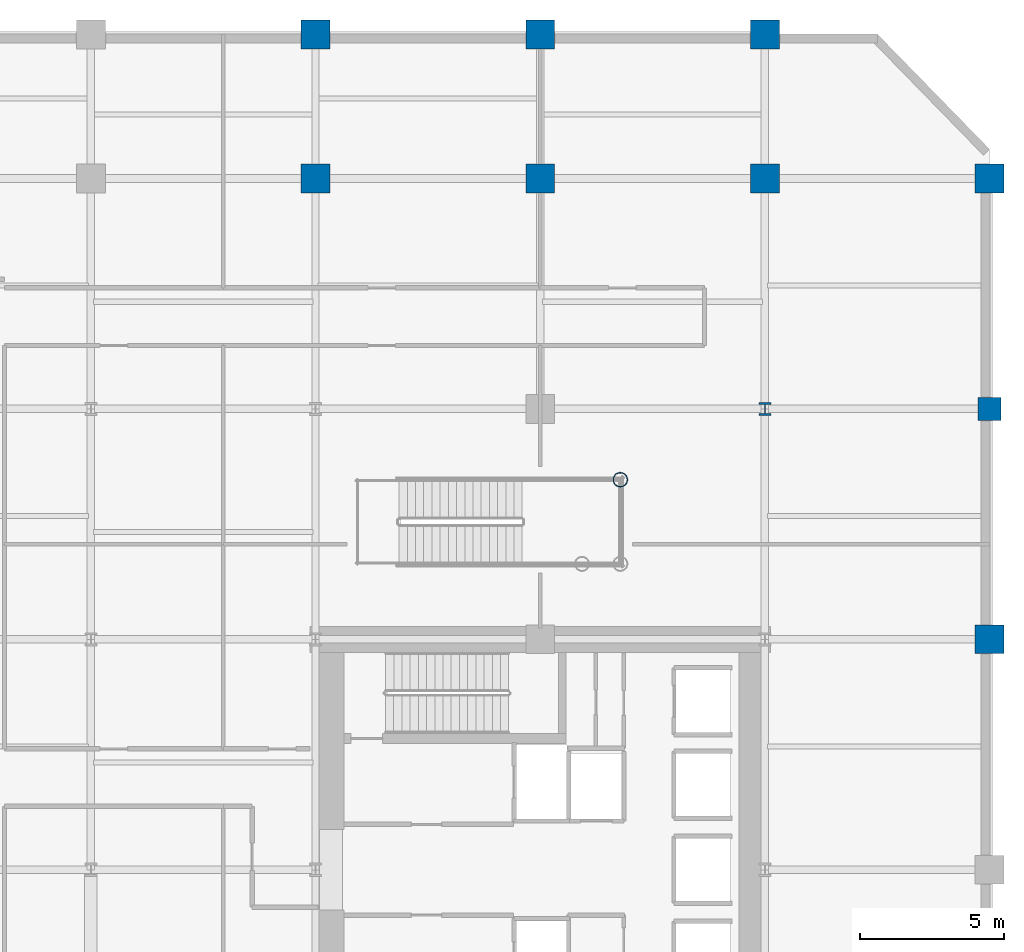
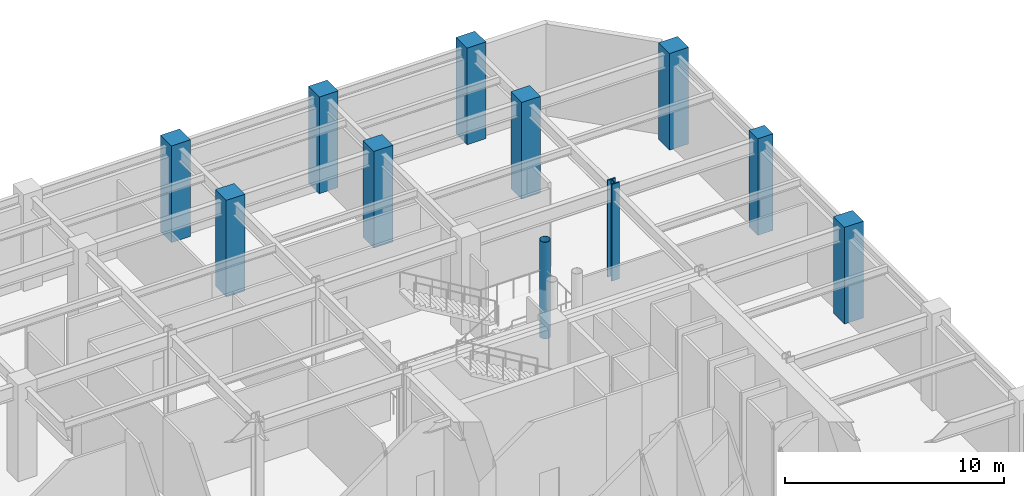
# One storey, part 4 of 12: 11 columns.
"""IFC4 building model written with IfcOpenShell, lengths in metres."""

from ifc_helpers import new_model, si_unit, direction, frame, origin, origin_2d, place, context, subcontext, project, spatial, rectangle, hollow_circle, i_section, extrude, material, material_profile, profile_set, type_object, element, save


model = new_model("IFC4")

# Units and contexts
model_context = context("Model", 3, precision=1e-05, world=origin(), true_north=direction((0.0, 1.0)))
body_context = subcontext(model_context, "Body", "Model", "MODEL_VIEW")
ifc_project = project(units=[si_unit("LENGTHUNIT", "METRE"), si_unit("AREAUNIT", "SQUARE_METRE"), si_unit("VOLUMEUNIT", "CUBIC_METRE"), si_unit("PLANEANGLEUNIT", "RADIAN"), si_unit("MASSUNIT", "GRAM", prefix="KILO")], contexts=[model_context])

# Site, building, storey
site_placement = place(None, origin())
site = spatial("IfcSite", under=ifc_project, at=site_placement, CompositionType="ELEMENT")
building_placement = place(site_placement, origin())
building = spatial("IfcBuilding", under=site, at=building_placement, Name="Veymaron Broadcast Tower", CompositionType="ELEMENT")
storey_placement = place(building_placement, frame((0.0, 0.0, 10.800048828125)))
storey = spatial("IfcBuildingStorey", under=building, at=storey_placement, Name="L02", CompositionType="ELEMENT", Elevation=10.800048828125)

# Columns
ifc_material_1 = material(Name="Structural steel ASTM A913 Gr 65", Category="steel")
ifc_material_profile_1 = material_profile(ifc_material_1, i_section(OverallWidth=0.41796875, OverallDepth=0.455078125, WebThickness=0.0419921875, FlangeThickness=0.067626953125, at=origin_2d()), Name="W360X551")
ifc_profile_set_1 = profile_set([ifc_material_profile_1], Name="Structural steel ASTM A913 Gr 65")
column_type_1 = type_object("IfcColumnType", Name="COL-MC2", PredefinedType="COLUMN", material=ifc_profile_set_1)
column_1_placement = place(storey_placement, frame((54.60009765625, 40.0, 0.0), z_axis=(0.0, 0.0, 1.0), x_axis=(1.0, 0.0, 0.0)))
element("IfcColumn", 1, at=column_1_placement, inside=storey, type_object=column_type_1, Name="L02 column (54.6, 40.0)", PredefinedType="COLUMN", context=body_context, shape_type="SweptSolid", body=[
    extrude(i_section(OverallWidth=0.41796875, OverallDepth=0.455078125, WebThickness=0.0419921875, FlangeThickness=0.067626953125, at=origin_2d()), origin(), (0.0, 0.0, 1.0), 5.39501953125),
])
ifc_material_2 = material(Name="Structural steel ASTM A992 Gr 50", Category="steel")
ifc_material_profile_2 = material_profile(ifc_material_2, hollow_circle(Radius=0.25390625, WallThickness=0.02001953125, at=origin_2d()), Name="CHS508X20")
ifc_profile_set_2 = profile_set([ifc_material_profile_2], Name="Structural steel ASTM A992 Gr 50")
column_type_2 = type_object("IfcColumnType", Name="COL-PL2", PredefinedType="COLUMN", material=ifc_profile_set_2)
column_2_placement = place(storey_placement, frame((49.580078125, 37.5400390625, 0.0), z_axis=(0.0, 0.0, 1.0), x_axis=(1.0, 0.0, 0.0)))
element("IfcColumn", 2, at=column_2_placement, inside=storey, type_object=column_type_2, Name="L02 feature stair support column", PredefinedType="COLUMN", context=body_context, shape_type="SweptSolid", body=[
    extrude(hollow_circle(Radius=0.25390625, WallThickness=0.02001953125, at=origin_2d()), origin(), (0.0, 0.0, 1.0), 5.39404296875),
])
ifc_material_3 = material(Name="Concrete C60/75", Category="concrete")
ifc_material_profile_3 = material_profile(ifc_material_3, rectangle(XDim=1.0, YDim=1.0, at=origin_2d()), Name="RC1000X1000")
ifc_profile_set_3 = profile_set([ifc_material_profile_3], Name="Concrete C60/75")
column_type_3 = type_object("IfcColumnType", Name="COL-RC3", PredefinedType="COLUMN", material=ifc_profile_set_3)
for number, where, z_axis, x_axis, name in (
    (3, (39.0, 48.0, 0.0), (0.0, 0.0, 1.0), (1.0, 0.0, 0.0), "L02 column (39.0, 48.0)"),
    (4, (39.0, 53.0, 0.0), (0.0, 0.0, 1.0), (1.0, 0.0, 0.0), "L02 column (39.0, 53.0)"),
    (5, (46.800048828125, 48.0, 0.0), (0.0, 0.0, 1.0), (1.0, 0.0, 0.0), "L02 column (46.8, 48.0)"),
    (6, (46.800048828125, 53.0, 0.0), (0.0, 0.0, 1.0), (1.0, 0.0, 0.0), "L02 column (46.8, 53.0)"),
    (7, (54.60009765625, 48.0, 0.0), (0.0, 0.0, 1.0), (1.0, 0.0, 0.0), "L02 column (54.6, 48.0)"),
    (8, (54.60009765625, 53.0, 0.0), (0.0, 0.0, 1.0), (1.0, 0.0, 0.0), "L02 column (54.6, 53.0)"),
    (9, (62.39990234375, 32.0, 0.0), (0.0, 0.0, 1.0), (1.0, 0.0, 0.0), "L02 column (62.4, 32.0)"),
    (10, (62.39990234375, 48.0, 0.0), (0.0, 0.0, 1.0), (1.0, 0.0, 0.0), "L02 column (62.4, 48.0)"),
):
    element("IfcColumn", number, at=place(storey_placement, frame(where, z_axis=z_axis, x_axis=x_axis)), inside=storey, type_object=column_type_3, Name=name, PredefinedType="COLUMN", context=body_context, shape_type="SweptSolid", body=[
        extrude(rectangle(XDim=1.0, YDim=1.0, at=origin_2d()), origin(), (0.0, 0.0, 1.0), 5.39501953125),
    ])
ifc_material_4 = material(Name="Concrete C50/60", Category="concrete")
ifc_material_profile_4 = material_profile(ifc_material_4, rectangle(XDim=0.800048828125, YDim=0.800048828125, at=origin_2d()), Name="RC800X800")
ifc_profile_set_4 = profile_set([ifc_material_profile_4], Name="Concrete C50/60")
column_type_4 = type_object("IfcColumnType", Name="COL-RC5", PredefinedType="COLUMN", material=ifc_profile_set_4)
column_3_placement = place(storey_placement, frame((62.39990234375, 40.0, 0.0), z_axis=(0.0, 0.0, 1.0), x_axis=(1.0, 0.0, 0.0)))
element("IfcColumn", 11, at=column_3_placement, inside=storey, type_object=column_type_4, Name="L02 column (62.4, 40.0)", PredefinedType="COLUMN", context=body_context, shape_type="SweptSolid", body=[
    extrude(rectangle(XDim=0.800048828125, YDim=0.800048828125, at=origin_2d()), origin(), (0.0, 0.0, 1.0), 5.39501953125),
])

save(model, "model.ifc")
